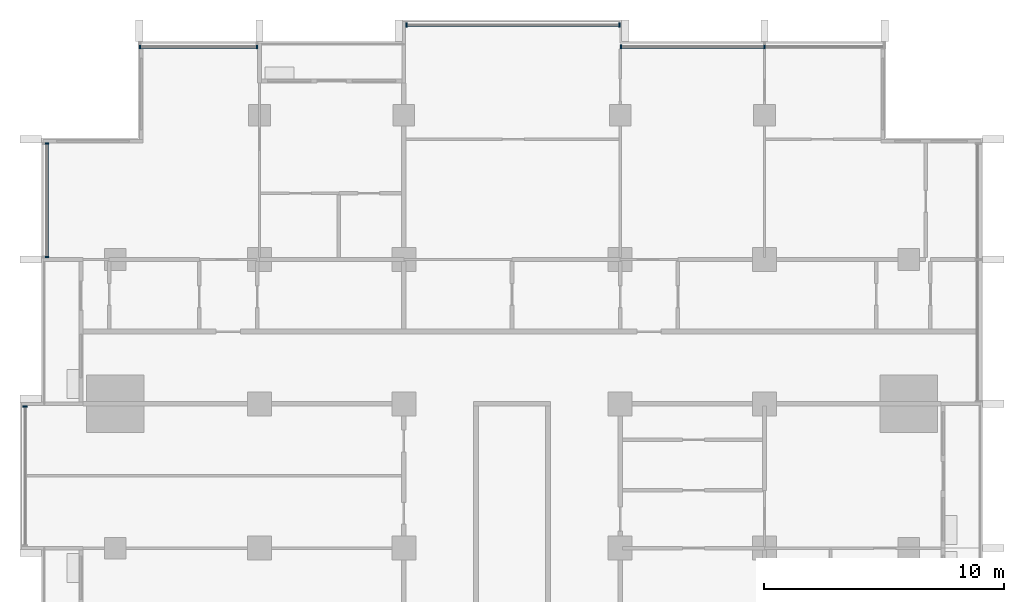
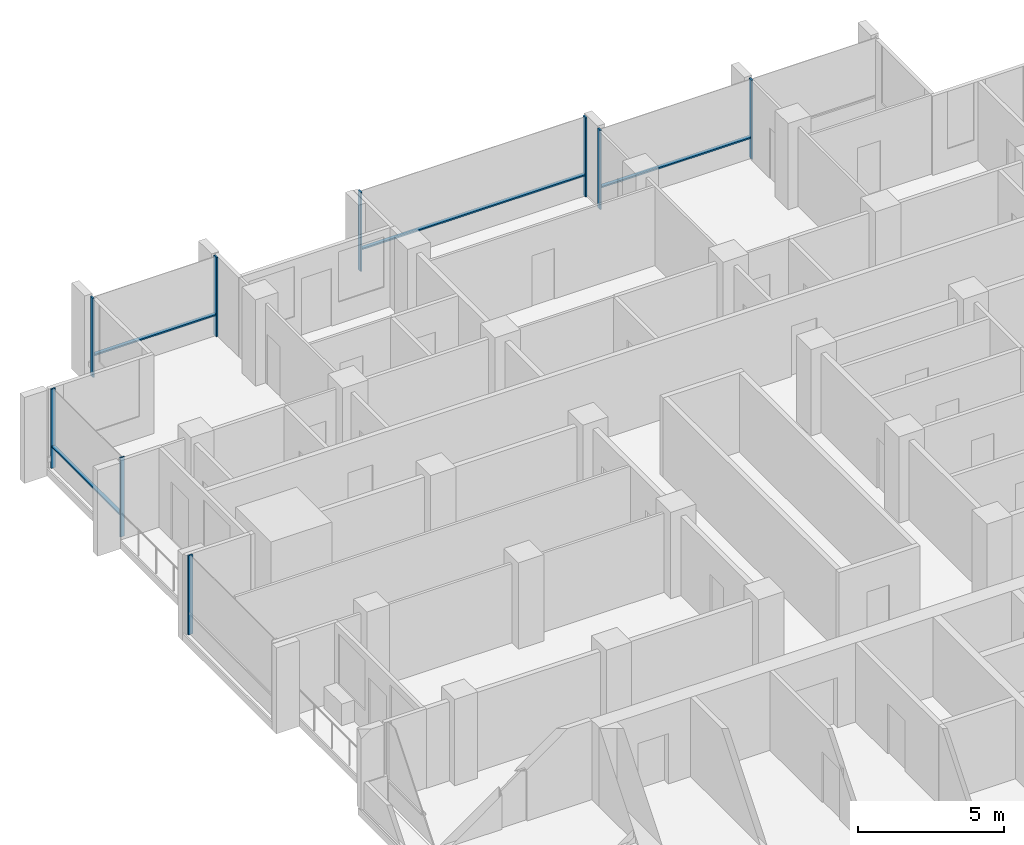
# One storey, part 4 of 17: 13 members, 5 elements without a shape of their own.
"""IFC4 building model written with IfcOpenShell, lengths in metres."""

from ifc_helpers import new_model, si_unit, direction, frame, origin, origin_2d, place, context, subcontext, project, spatial, rectangle, extrude, material, material_profile, profile_set, type_object, element, aggregate, save


model = new_model("IFC4")

# Units and contexts
model_context = context("Model", 3, precision=1e-05, world=origin(), true_north=direction((0.0, 1.0)))
body_context = subcontext(model_context, "Body", "Model", "MODEL_VIEW")
ifc_project = project(units=[si_unit("LENGTHUNIT", "METRE"), si_unit("AREAUNIT", "SQUARE_METRE"), si_unit("VOLUMEUNIT", "CUBIC_METRE"), si_unit("PLANEANGLEUNIT", "RADIAN"), si_unit("MASSUNIT", "GRAM", prefix="KILO")], contexts=[model_context])

# Site, building, storey
site_placement = place(None, origin())
site = spatial("IfcSite", under=ifc_project, at=site_placement, CompositionType="ELEMENT")
building_placement = place(site_placement, origin())
building = spatial("IfcBuilding", under=site, at=building_placement, Name="Finial Court Residences", CompositionType="ELEMENT")
storey_placement = place(building_placement, frame((0.0, 0.0, 152.89990234375)))
storey = spatial("IfcBuildingStorey", under=building, at=storey_placement, Name="L37", CompositionType="ELEMENT", Elevation=152.89990234375)

# Curtain wall, members
ifc_material = material(Name="Bronze anodised aluminium", Category="aluminium")
curtain_wall_type = type_object("IfcCurtainWallType", Name="Unitised curtain wall, upper zones", PredefinedType="NOTDEFINED", material=ifc_material)
curtain_wall_1_placement = place(storey_placement, origin())
curtain_wall_1 = element("IfcCurtainWall", 1, at=curtain_wall_1_placement, inside=storey, type_object=curtain_wall_type, Name="E-L37-CW-N1", PredefinedType="NOTDEFINED")
ifc_material_profile_1 = material_profile(ifc_material, rectangle(XDim=0.175048828125, YDim=0.06005859375, at=origin_2d()), Name="CW2 mullion 60 x 175")
ifc_profile_set_1 = profile_set([ifc_material_profile_1], Name="Bronze anodised aluminium")
member_type_1 = type_object("IfcMemberType", Name="CW2 mullion 60 x 175", PredefinedType="MULLION", material=ifc_profile_set_1)
member_1_placement = place(storey_placement, frame((-15.469970703125, 22.35009765625, 0.0), z_axis=(0.0, 0.0, 1.0), x_axis=(0.0, 1.0, 0.0)))
member_1 = element("IfcMember", 2, at=member_1_placement, type_object=member_type_1, Name="CW2 mullion 1", PredefinedType="MULLION", context=body_context, shape_type="SweptSolid", body=[
    extrude(rectangle(XDim=0.175048828125, YDim=0.06005859375, at=origin_2d()), origin(), (0.0, 0.0, 1.0), 3.300048828125),
])
member_2_placement = place(storey_placement, frame((-10.60498046875, 22.35009765625, 0.0), z_axis=(0.0, 0.0, 1.0), x_axis=(0.0, 1.0, 0.0)))
member_2 = element("IfcMember", 3, at=member_2_placement, type_object=member_type_1, Name="CW2 mullion 2", PredefinedType="MULLION", context=body_context, shape_type="SweptSolid", body=[
    extrude(rectangle(XDim=0.175048828125, YDim=0.06005859375, at=origin_2d()), origin(), (0.0, 0.0, 1.0), 3.300048828125),
])

curtain_wall_2_placement = place(storey_placement, origin())
curtain_wall_2 = element("IfcCurtainWall", 4, at=curtain_wall_2_placement, inside=storey, type_object=curtain_wall_type, Name="E-L37-CW-N2", PredefinedType="NOTDEFINED")
member_3_placement = place(storey_placement, frame((-4.39501953125, 23.25, 0.0), z_axis=(0.0, 0.0, 1.0), x_axis=(0.0, 1.0, 0.0)))
member_3 = element("IfcMember", 5, at=member_3_placement, type_object=member_type_1, Name="CW2 mullion 1", PredefinedType="MULLION", context=body_context, shape_type="SweptSolid", body=[
    extrude(rectangle(XDim=0.175048828125, YDim=0.06005859375, at=origin_2d()), origin(), (0.0, 0.0, 1.0), 3.300048828125),
])
member_4_placement = place(storey_placement, frame((4.469970703125, 23.25, 0.0), z_axis=(0.0, 0.0, 1.0), x_axis=(0.0, 1.0, 0.0)))
member_4 = element("IfcMember", 6, at=member_4_placement, type_object=member_type_1, Name="CW2 mullion 2", PredefinedType="MULLION", context=body_context, shape_type="SweptSolid", body=[
    extrude(rectangle(XDim=0.175048828125, YDim=0.06005859375, at=origin_2d()), origin(), (0.0, 0.0, 1.0), 3.300048828125),
])

curtain_wall_3_placement = place(storey_placement, origin())
curtain_wall_3 = element("IfcCurtainWall", 7, at=curtain_wall_3_placement, inside=storey, type_object=curtain_wall_type, Name="E-L37-CW-N3", PredefinedType="NOTDEFINED")
member_5_placement = place(storey_placement, frame((4.530029296875, 22.35009765625, 0.0), z_axis=(0.0, 0.0, 1.0), x_axis=(0.0, 1.0, 0.0)))
member_5 = element("IfcMember", 8, at=member_5_placement, type_object=member_type_1, Name="CW2 mullion 1", PredefinedType="MULLION", context=body_context, shape_type="SweptSolid", body=[
    extrude(rectangle(XDim=0.175048828125, YDim=0.06005859375, at=origin_2d()), origin(), (0.0, 0.0, 1.0), 3.300048828125),
])
member_6_placement = place(storey_placement, frame((10.5, 22.35009765625, 0.0), z_axis=(0.0, 0.0, 1.0), x_axis=(0.0, 1.0, 0.0)))
member_6 = element("IfcMember", 9, at=member_6_placement, type_object=member_type_1, Name="CW2 mullion 2", PredefinedType="MULLION", context=body_context, shape_type="SweptSolid", body=[
    extrude(rectangle(XDim=0.175048828125, YDim=0.06005859375, at=origin_2d()), origin(), (0.0, 0.0, 1.0), 3.300048828125),
])

# Curtain wall, member
curtain_wall_4_placement = place(storey_placement, origin())
curtain_wall_4 = element("IfcCurtainWall", 10, at=curtain_wall_4_placement, inside=storey, type_object=curtain_wall_type, Name="E-L37-CW-W10", PredefinedType="NOTDEFINED")
member_7_placement = place(storey_placement, frame((-20.25, 7.39501953125, 0.0), z_axis=(0.0, 0.0, 1.0), x_axis=(-1.0, 0.0, 0.0)))
member_7 = element("IfcMember", 11, at=member_7_placement, type_object=member_type_1, Name="CW2 mullion 2", PredefinedType="MULLION", context=body_context, shape_type="SweptSolid", body=[
    extrude(rectangle(XDim=0.175048828125, YDim=0.06005859375, at=origin_2d()), origin(), (0.0, 0.0, 1.0), 3.300048828125),
])
aggregate(curtain_wall_4, [member_7])

# Curtain wall, members
curtain_wall_5_placement = place(storey_placement, origin())
curtain_wall_5 = element("IfcCurtainWall", 12, at=curtain_wall_5_placement, inside=storey, type_object=curtain_wall_type, Name="E-L37-CW-W11", PredefinedType="NOTDEFINED")
member_8_placement = place(storey_placement, frame((-19.35009765625, 13.60498046875, 0.0), z_axis=(0.0, 0.0, 1.0), x_axis=(-1.0, 0.0, 0.0)))
member_8 = element("IfcMember", 13, at=member_8_placement, type_object=member_type_1, Name="CW2 mullion 1", PredefinedType="MULLION", context=body_context, shape_type="SweptSolid", body=[
    extrude(rectangle(XDim=0.175048828125, YDim=0.06005859375, at=origin_2d()), origin(), (0.0, 0.0, 1.0), 3.300048828125),
])
member_9_placement = place(storey_placement, frame((-19.35009765625, 18.320068359375, 0.0), z_axis=(0.0, 0.0, 1.0), x_axis=(-1.0, 0.0, 0.0)))
member_9 = element("IfcMember", 14, at=member_9_placement, type_object=member_type_1, Name="CW2 mullion 2", PredefinedType="MULLION", context=body_context, shape_type="SweptSolid", body=[
    extrude(rectangle(XDim=0.175048828125, YDim=0.06005859375, at=origin_2d()), origin(), (0.0, 0.0, 1.0), 3.300048828125),
])

# Member
ifc_material_profile_2 = material_profile(ifc_material, rectangle(XDim=0.139892578125, YDim=0.06005859375, at=origin_2d()), Name="CW2 transom 60 x 140")
ifc_profile_set_2 = profile_set([ifc_material_profile_2], Name="Bronze anodised aluminium")
member_type_2 = type_object("IfcMemberType", Name="CW2 transom 60 x 140", PredefinedType="USERDEFINED", material=ifc_profile_set_2)
member_10_placement = place(storey_placement, frame((-15.43994140625, 22.35009765625, 0.900146484375), z_axis=(1.0, 0.0, 0.0), x_axis=(0.0, 1.0, 0.0)))
member_10 = element("IfcMember", 15, at=member_10_placement, type_object=member_type_2, Name="CW2 transom 1.1", ObjectType="TRANSOM", PredefinedType="USERDEFINED", context=body_context, shape_type="SweptSolid", body=[
    extrude(rectangle(XDim=0.139892578125, YDim=0.06005859375, at=origin_2d()), origin(), (0.0, 0.0, 1.0), 4.804931640625),
])

aggregate(curtain_wall_1, [member_1, member_2, member_10])

member_11_placement = place(storey_placement, frame((-4.364990234375, 23.25, 0.900146484375), z_axis=(1.0, 0.0, 0.0), x_axis=(0.0, 1.0, 0.0)))
member_11 = element("IfcMember", 16, at=member_11_placement, type_object=member_type_2, Name="CW2 transom 1.1", ObjectType="TRANSOM", PredefinedType="USERDEFINED", context=body_context, shape_type="SweptSolid", body=[
    extrude(rectangle(XDim=0.139892578125, YDim=0.06005859375, at=origin_2d()), origin(), (0.0, 0.0, 1.0), 8.804931640625),
])

aggregate(curtain_wall_2, [member_3, member_4, member_11])

member_12_placement = place(storey_placement, frame((4.56005859375, 22.35009765625, 0.900146484375), z_axis=(1.0, 0.0, 0.0), x_axis=(0.0, 1.0, 0.0)))
member_12 = element("IfcMember", 17, at=member_12_placement, type_object=member_type_2, Name="CW2 transom 1.1", ObjectType="TRANSOM", PredefinedType="USERDEFINED", context=body_context, shape_type="SweptSolid", body=[
    extrude(rectangle(XDim=0.139892578125, YDim=0.06005859375, at=origin_2d()), origin(), (0.0, 0.0, 1.0), 5.909912109375),
])

aggregate(curtain_wall_3, [member_5, member_6, member_12])

member_13_placement = place(storey_placement, frame((-19.35009765625, 13.635009765625, 0.900146484375), z_axis=(0.0, 1.0, 0.0), x_axis=(-1.0, 0.0, 0.0)))
member_13 = element("IfcMember", 18, at=member_13_placement, type_object=member_type_2, Name="CW2 transom 1.1", ObjectType="TRANSOM", PredefinedType="USERDEFINED", context=body_context, shape_type="SweptSolid", body=[
    extrude(rectangle(XDim=0.139892578125, YDim=0.06005859375, at=origin_2d()), origin(), (0.0, 0.0, 1.0), 4.655029296875),
])

aggregate(curtain_wall_5, [member_8, member_9, member_13])

save(model, "model.ifc")
